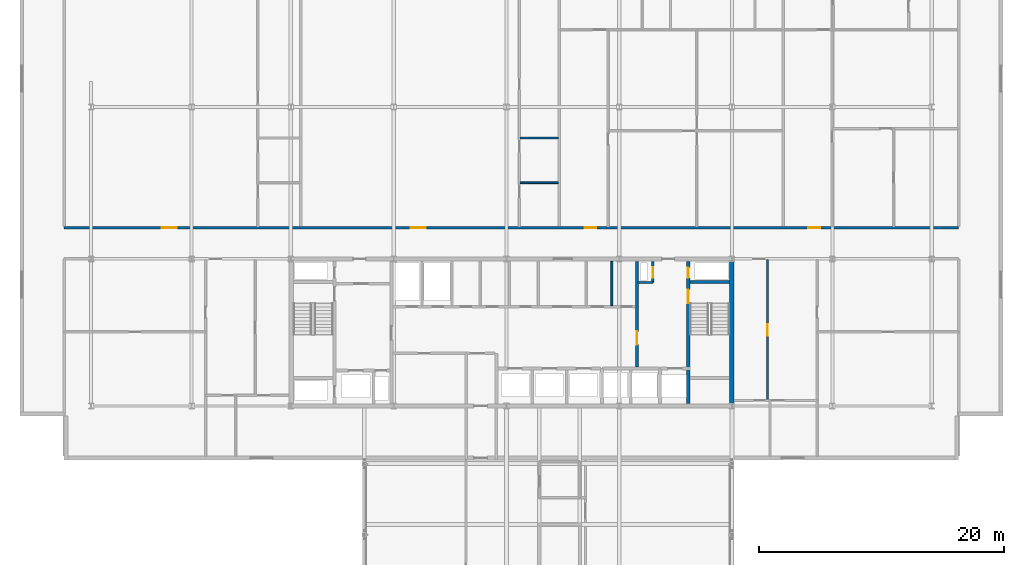
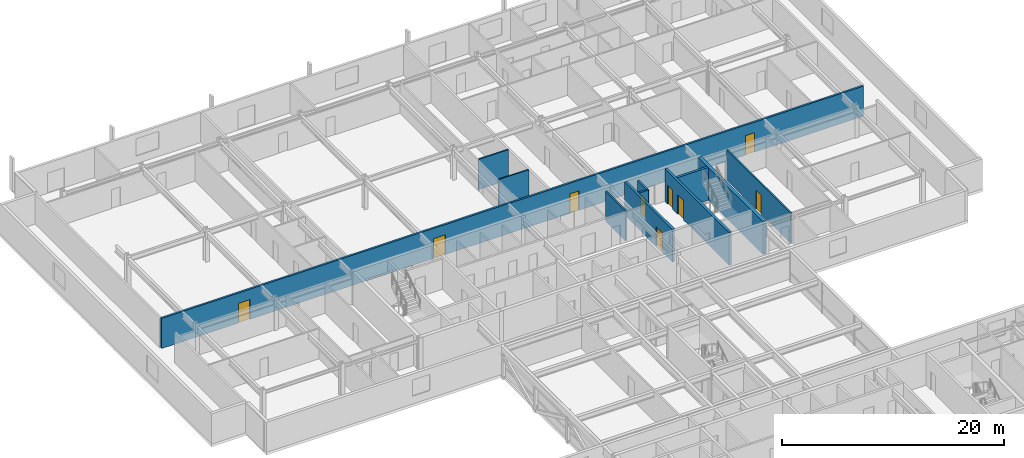
# One storey, part 26 of 36: 11 walls, 9 doors, 9 openings.
"""IFC4 building model written with IfcOpenShell, lengths in metres."""

from ifc_helpers import new_model, si_unit, direction, frame, frame_2d, origin, place, context, subcontext, project, spatial, rectangle, extrude, material, layer, layer_set, type_object, element, fill, save


model = new_model("IFC4")

# Units and contexts
model_context = context("Model", 3, precision=1e-05, world=origin(), true_north=direction((0.0, 1.0)))
body_context = subcontext(model_context, "Body", "Model", "MODEL_VIEW")
ifc_project = project(units=[si_unit("LENGTHUNIT", "METRE"), si_unit("AREAUNIT", "SQUARE_METRE"), si_unit("VOLUMEUNIT", "CUBIC_METRE"), si_unit("PLANEANGLEUNIT", "RADIAN"), si_unit("MASSUNIT", "GRAM", prefix="KILO")], contexts=[model_context])

# Site, building, storey
site_placement = place(None, origin())
site = spatial("IfcSite", under=ifc_project, at=site_placement, CompositionType="ELEMENT")
building_placement = place(site_placement, origin())
building = spatial("IfcBuilding", under=site, at=building_placement, Name="Korimba Cascade Residences", CompositionType="ELEMENT")
storey_placement = place(building_placement, frame((0.0, 0.0, 139.300048828125)))
storey = spatial("IfcBuildingStorey", under=building, at=storey_placement, Name="L40", CompositionType="ELEMENT", Elevation=139.300048828125)

# Wall
ifc_material_1 = material(Name="Concrete C65/80", Category="concrete")
ifc_layer_1 = layer(ifc_material_1, 0.35009765625)
ifc_layer_set_1 = layer_set([ifc_layer_1], Name="Concrete C65/80")
wall_type_1 = type_object("IfcWallType", Name="WAL-CORE-350", PredefinedType="SHEAR", material=ifc_layer_set_1)
wall_1_placement = place(storey_placement, frame((112.074951171875, 55.375, 0.0), z_axis=(0.0, 0.0, 1.0), x_axis=(0.0, 1.0, 0.0)))
element("IfcWall", 1, at=wall_1_placement, inside=storey, type_object=wall_type_1, Name="L40 Core Shear Wall CW-L40-T1-E", PredefinedType="SHEAR", context=body_context, shape_type="SweptSolid", body=[
    extrude(rectangle(XDim=11.64990234375, YDim=0.35009765625, at=frame_2d((5.824951171875, 0.0))), origin(), (0.0, 0.0, 1.0), 3.599853515625),
])

# Wall, openings, doors
ifc_material_2 = material(Name="Precast concrete C40/50", Category="concrete")
ifc_layer_2 = layer(ifc_material_2, 0.199951171875)
ifc_layer_set_2 = layer_set([ifc_layer_2], Name="Precast concrete C40/50")
wall_type_2 = type_object("IfcWallType", Name="WAL-IT-200", PredefinedType="PARTITIONING", material=ifc_layer_set_2)
wall_2_placement = place(storey_placement, frame((57.60009765625, 69.75, 0.0), z_axis=(0.0, 0.0, 1.0), x_axis=(1.0, 0.0, 0.0)))
wall_2 = element("IfcWall", 2, at=wall_2_placement, inside=storey, type_object=wall_type_2, Name="L40 Partition Wall WAL-L40-T1-CORN", PredefinedType="PARTITIONING", context=body_context, shape_type="SweptSolid", body=[
    extrude(rectangle(XDim=73.0, YDim=0.199951171875, at=frame_2d((36.5, 0.0))), origin(), (0.0, 0.0, 1.0), 3.31005859375),
])
opening_1_placement = place(wall_2_placement, frame((7.967041015625, 0.0, 0.0)))
opening_1 = element("IfcOpeningElement", 3, at=opening_1_placement, cuts=wall_2, Name="Opening D-AM1", PredefinedType="OPENING", context=body_context, shape_type="SweptSolid", body=[
    extrude(rectangle(XDim=1.219970703125, YDim=2.179931640625, at=frame_2d((0.60986328125, 1.08984375))), frame((0.0, 0.10986328125, 0.0), z_axis=(0.0, -1.0, 0.0), x_axis=(1.0, 0.0, 0.0)), (0.0, 0.0, 1.0), 0.219970703125),
])
opening_2_placement = place(wall_2_placement, frame((28.29296875, 0.0, 0.0)))
opening_2 = element("IfcOpeningElement", 4, at=opening_2_placement, cuts=wall_2, Name="Opening D-AM1", PredefinedType="OPENING", context=body_context, shape_type="SweptSolid", body=[
    extrude(rectangle(XDim=1.219970703125, YDim=2.179931640625, at=frame_2d((0.60986328125, 1.08984375))), frame((0.0, 0.10986328125, 0.0), z_axis=(0.0, -1.0, 0.0), x_axis=(1.0, 0.0, 0.0)), (0.0, 0.0, 1.0), 0.219970703125),
])
opening_3_placement = place(wall_2_placement, frame((42.46630859375, 0.0, 0.0)))
opening_3 = element("IfcOpeningElement", 5, at=opening_3_placement, cuts=wall_2, Name="Opening D-UN1", PredefinedType="OPENING", context=body_context, shape_type="SweptSolid", body=[
    extrude(rectangle(XDim=0.949951171875, YDim=2.14990234375, at=frame_2d((0.47509765625, 1.074951171875))), frame((0.0, 0.10986328125, 0.0), z_axis=(0.0, -1.0, 0.0), x_axis=(1.0, 0.0, 0.0)), (0.0, 0.0, 1.0), 0.219970703125),
])
opening_4_placement = place(wall_2_placement, frame((60.73779296875, 0.0, 0.0)))
opening_4 = element("IfcOpeningElement", 6, at=opening_4_placement, cuts=wall_2, Name="Opening D-UN1", PredefinedType="OPENING", context=body_context, shape_type="SweptSolid", body=[
    extrude(rectangle(XDim=0.949951171875, YDim=2.14990234375, at=frame_2d((0.47509765625, 1.074951171875))), frame((0.0, 0.10986328125, 0.0), z_axis=(0.0, -1.0, 0.0), x_axis=(1.0, 0.0, 0.0)), (0.0, 0.0, 1.0), 0.219970703125),
])
ifc_material_3 = material(Name="Fire-Rated Glazed Timber Suite Door", Category="wood")
door_type_1 = type_object("IfcDoorType", Name="DR-FD60-1200", OperationType="NOTDEFINED", PredefinedType="DOOR", material=ifc_material_3)
door_1_placement = place(opening_1_placement, origin())
door_1 = element("IfcDoor", 7, at=door_1_placement, inside=storey, type_object=door_type_1, Name="L40-T1-U01 Business Collaboration Office Door", OperationType="SINGLE_SWING_LEFT", OverallHeight=2.179931640625, OverallWidth=1.219970703125, PredefinedType="DOOR", context=body_context, shape_type="SweptSolid", body=[
    extrude(rectangle(XDim=1.219970703125, YDim=2.179931640625, at=frame_2d((0.60986328125, 1.08984375))), frame((0.0, 0.02490234375, 0.0), z_axis=(0.0, -1.0, 0.0), x_axis=(1.0, 0.0, 0.0)), (0.0, 0.0, 1.0), 0.050048828125),
])
fill(opening_1, door_1)
door_2_placement = place(opening_2_placement, origin())
door_2 = element("IfcDoor", 8, at=door_2_placement, inside=storey, type_object=door_type_1, Name="L40-T1-U02 Executive Co-Working Office Door", OperationType="SINGLE_SWING_RIGHT", OverallHeight=2.179931640625, OverallWidth=1.219970703125, PredefinedType="DOOR", context=body_context, shape_type="SweptSolid", body=[
    extrude(rectangle(XDim=1.219970703125, YDim=2.179931640625, at=frame_2d((0.60986328125, 1.08984375))), frame((0.0, 0.02490234375, 0.0), z_axis=(0.0, -1.0, 0.0), x_axis=(1.0, 0.0, 0.0)), (0.0, 0.0, 1.0), 0.050048828125),
])
fill(opening_2, door_2)
ifc_material_4 = material(Name="Fire-Rated Hardwood Apartment Entrance Door", Category="wood")
door_type_2 = type_object("IfcDoorType", Name="DR-FD60-950", OperationType="NOTDEFINED", PredefinedType="DOOR", material=ifc_material_4)
door_3_placement = place(opening_3_placement, origin())
door_3 = element("IfcDoor", 9, at=door_3_placement, inside=storey, type_object=door_type_2, Name="Unit L40-T1-U03 Entrance Door", OperationType="SINGLE_SWING_LEFT", OverallHeight=2.14990234375, OverallWidth=0.949951171875, PredefinedType="DOOR", context=body_context, shape_type="SweptSolid", body=[
    extrude(rectangle(XDim=0.949951171875, YDim=2.14990234375, at=frame_2d((0.47509765625, 1.074951171875))), frame((0.0, 0.02490234375, 0.0), z_axis=(0.0, -1.0, 0.0), x_axis=(1.0, 0.0, 0.0)), (0.0, 0.0, 1.0), 0.050048828125),
])
fill(opening_3, door_3)
door_4_placement = place(opening_4_placement, origin())
door_4 = element("IfcDoor", 10, at=door_4_placement, inside=storey, type_object=door_type_2, Name="Unit L40-T1-U04 Entrance Door", OperationType="SINGLE_SWING_RIGHT", OverallHeight=2.14990234375, OverallWidth=0.949951171875, PredefinedType="DOOR", context=body_context, shape_type="SweptSolid", body=[
    extrude(rectangle(XDim=0.949951171875, YDim=2.14990234375, at=frame_2d((0.47509765625, 1.074951171875))), frame((0.0, 0.02490234375, 0.0), z_axis=(0.0, -1.0, 0.0), x_axis=(1.0, 0.0, 0.0)), (0.0, 0.0, 1.0), 0.050048828125),
])
fill(opening_4, door_4)

# Wall
ifc_material_5 = material(Name="Insulated Acoustic Stud Partition", Category="gypsum")
ifc_layer_3 = layer(ifc_material_5, 0.14990234375)
ifc_layer_set_3 = layer_set([ifc_layer_3], Name="Insulated Acoustic Stud Partition")
wall_type_3 = type_object("IfcWallType", Name="WAL-PART-150", PredefinedType="PARTITIONING", material=ifc_layer_set_3)
wall_3_placement = place(storey_placement, frame((102.300048828125, 63.39990234375, 0.0), z_axis=(0.0, 0.0, 1.0), x_axis=(0.0, 1.0, 0.0)))
element("IfcWall", 11, at=wall_3_placement, inside=storey, type_object=wall_type_3, Name="L40 Partition Wall CW-L40-T1-CA1E1", PredefinedType="PARTITIONING", context=body_context, shape_type="SweptSolid", body=[
    extrude(rectangle(XDim=3.60009765625, YDim=0.14990234375, at=frame_2d((1.800048828125, 0.0))), origin(), (0.0, 0.0, 1.0), 3.31005859375),
])

# Wall, opening, door
wall_4_placement = place(storey_placement, frame((115.0, 55.64990234375, 0.0), z_axis=(0.0, 0.0, 1.0), x_axis=(0.0, 1.0, 0.0)))
wall_4 = element("IfcWall", 12, at=wall_4_placement, inside=storey, type_object=wall_type_3, Name="L40 Partition Wall WAL-L40-T1-FE-VN", PredefinedType="PARTITIONING", context=body_context, shape_type="SweptSolid", body=[
    extrude(rectangle(XDim=11.5, YDim=0.14990234375, at=frame_2d((5.75, 0.0))), origin(), (0.0, 0.0, 1.0), 3.31005859375),
])
opening_5_placement = place(wall_4_placement, frame((5.2900390625, 0.0, 0.0)))
opening_5 = element("IfcOpeningElement", 13, at=opening_5_placement, cuts=wall_4, Name="Opening D-IN1", PredefinedType="OPENING", context=body_context, shape_type="SweptSolid", body=[
    extrude(rectangle(XDim=0.919921875, YDim=2.080078125, at=frame_2d((0.4599609375, 1.0400390625))), frame((0.0, 0.0849609375, 0.0), z_axis=(0.0, -1.0, 0.0), x_axis=(1.0, 0.0, 0.0)), (0.0, 0.0, 1.0), 0.169921875),
])
ifc_material_6 = material(Name="Acoustic Timber Living Door", Category="wood")
door_type_3 = type_object("IfcDoorType", Name="DR-INT-920", OperationType="NOTDEFINED", PredefinedType="DOOR", material=ifc_material_6)
door_5_placement = place(opening_5_placement, origin())
door_5 = element("IfcDoor", 14, at=door_5_placement, inside=storey, type_object=door_type_3, Name="L40-T1-FE Living Door", OperationType="SINGLE_SWING_LEFT", OverallHeight=2.080078125, OverallWidth=0.919921875, PredefinedType="DOOR", context=body_context, shape_type="SweptSolid", body=[
    extrude(rectangle(XDim=0.919921875, YDim=2.080078125, at=frame_2d((0.4599609375, 1.0400390625))), frame((0.0, 0.02490234375, 0.0), z_axis=(0.0, -1.0, 0.0), x_axis=(1.0, 0.0, 0.0)), (0.0, 0.0, 1.0), 0.050048828125),
])
fill(opening_5, door_5)

# Walls
for number, where, z_axis, x_axis, name in (
    (15, (94.811279296875, 73.419921875, 0.0), (0.0, 0.0, 1.0), (1.0, 0.0, 0.0), "L40 Partition Wall WAL-L40-T1-U02-WCH"),
    (16, (94.811279296875, 77.070068359375, 0.0), (0.0, 0.0, 1.0), (1.0, 0.0, 0.0), "L40 Partition Wall WAL-L40-T1-U02-WCH2"),
):
    element("IfcWall", number, at=place(storey_placement, frame(where, z_axis=z_axis, x_axis=x_axis)), inside=storey, type_object=wall_type_3, Name=name, PredefinedType="PARTITIONING", context=body_context, shape_type="SweptSolid", body=[
        extrude(rectangle(XDim=3.130126953125, YDim=0.14990234375, at=frame_2d((1.56494140625, 0.0))), origin(), (0.0, 0.0, 1.0), 3.31005859375),
    ])
ifc_material_7 = material(Name="Concrete C40/50", Category="concrete")
ifc_layer_4 = layer(ifc_material_7, 0.199951171875)
ifc_layer_set_4 = layer_set([ifc_layer_4], Name="Concrete C40/50")
wall_type_4 = type_object("IfcWallType", Name="WAL-PART-200", PredefinedType="PARTITIONING", material=ifc_layer_set_4)
wall_5_placement = place(storey_placement, frame((104.449951171875, 65.280029296875, 0.0), z_axis=(0.0, 0.0, 1.0), x_axis=(1.0, 0.0, 0.0)))
element("IfcWall", 17, at=wall_5_placement, inside=storey, type_object=wall_type_4, Name="L40 Partition Wall CW-L40-T1-HYDW2S", PredefinedType="PARTITIONING", context=body_context, shape_type="SweptSolid", body=[
    extrude(rectangle(XDim=1.199951171875, YDim=0.199951171875, at=frame_2d((0.60009765625, 0.0))), origin(), (0.0, 0.0, 1.0), 3.31005859375),
])

# Wall, opening, door
wall_6_placement = place(storey_placement, frame((105.64990234375, 65.280029296875, 0.0), z_axis=(0.0, 0.0, 1.0), x_axis=(0.0, 1.0, 0.0)))
wall_6 = element("IfcWall", 18, at=wall_6_placement, inside=storey, type_object=wall_type_4, Name="L40 Partition Wall CW-L40-T1-HYDW2E", PredefinedType="PARTITIONING", context=body_context, shape_type="SweptSolid", body=[
    extrude(rectangle(XDim=1.719970703125, YDim=0.199951171875, at=frame_2d((0.85986328125, 0.0))), origin(), (0.0, 0.0, 1.0), 3.31005859375),
])
opening_6_placement = place(wall_6_placement, frame((0.39990234375, 0.0, 0.0)))
opening_6 = element("IfcOpeningElement", 19, at=opening_6_placement, cuts=wall_6, Name="Opening D-RS1", PredefinedType="OPENING", context=body_context, shape_type="SweptSolid", body=[
    extrude(rectangle(XDim=0.85009765625, YDim=2.050048828125, at=frame_2d((0.425048828125, 1.02490234375))), frame((0.0, 0.10986328125, 0.0), z_axis=(0.0, -1.0, 0.0), x_axis=(1.0, 0.0, 0.0)), (0.0, 0.0, 1.0), 0.219970703125),
])
ifc_material_8 = material(Name="Fire-Rated Steel Riser Access Door", Category="steel")
door_type_4 = type_object("IfcDoorType", Name="DR-FD60-850", OperationType="NOTDEFINED", PredefinedType="DOOR", material=ifc_material_8)
door_6_placement = place(opening_6_placement, origin())
door_6 = element("IfcDoor", 20, at=door_6_placement, inside=storey, type_object=door_type_4, Name="L40 East Hydrant Door", OperationType="SINGLE_SWING_LEFT", OverallHeight=2.050048828125, OverallWidth=0.85009765625, PredefinedType="DOOR", context=body_context, shape_type="SweptSolid", body=[
    extrude(rectangle(XDim=0.85009765625, YDim=2.050048828125, at=frame_2d((0.425048828125, 1.02490234375))), frame((0.0, 0.02490234375, 0.0), z_axis=(0.0, -1.0, 0.0), x_axis=(1.0, 0.0, 0.0)), (0.0, 0.0, 1.0), 0.050048828125),
])
fill(opening_6, door_6)

ifc_material_9 = material(Name="Concrete C50/60", Category="concrete")
ifc_layer_5 = layer(ifc_material_9, 0.25)
ifc_layer_set_5 = layer_set([ifc_layer_5], Name="Concrete C50/60")
wall_type_5 = type_object("IfcWallType", Name="WAL-SHAFT-250", PredefinedType="SHEAR", material=ifc_layer_set_5)
wall_7_placement = place(storey_placement, frame((104.35009765625, 58.39990234375, 0.0), z_axis=(0.0, 0.0, 1.0), x_axis=(0.0, 1.0, 0.0)))
wall_7 = element("IfcWall", 21, at=wall_7_placement, inside=storey, type_object=wall_type_5, Name="L40 Core Shear Wall CW-L40-T1-LLEV", PredefinedType="SHEAR", context=body_context, shape_type="SweptSolid", body=[
    extrude(rectangle(XDim=8.60009765625, YDim=0.25, at=frame_2d((4.300048828125, 0.0))), origin(), (0.0, 0.0, 1.0), 3.599853515625),
])
opening_7_placement = place(wall_7_placement, frame((1.800048828125, 0.0, 0.0)))
opening_7 = element("IfcOpeningElement", 22, at=opening_7_placement, cuts=wall_7, Name="Opening D-FD1", PredefinedType="OPENING", context=body_context, shape_type="SweptSolid", body=[
    extrude(rectangle(XDim=1.10009765625, YDim=2.10009765625, at=frame_2d((0.550048828125, 1.050048828125))), frame((0.0, 0.135009765625, 0.0), z_axis=(0.0, -1.0, 0.0), x_axis=(1.0, 0.0, 0.0)), (0.0, 0.0, 1.0), 0.27001953125),
])
ifc_material_10 = material(Name="Fire-Rated Steel Core Door", Category="steel")
door_type_5 = type_object("IfcDoorType", Name="DR-FD120-1100", OperationType="NOTDEFINED", PredefinedType="DOOR", material=ifc_material_10)
door_7_placement = place(opening_7_placement, origin())
door_7 = element("IfcDoor", 23, at=door_7_placement, inside=storey, type_object=door_type_5, Name="L40 Lift Lobby to East Firefighting Lobby Door", OperationType="SINGLE_SWING_RIGHT", OverallHeight=2.10009765625, OverallWidth=1.10009765625, PredefinedType="DOOR", context=body_context, shape_type="SweptSolid", body=[
    extrude(rectangle(XDim=1.10009765625, YDim=2.10009765625, at=frame_2d((0.550048828125, 1.050048828125))), frame((0.0, 0.02490234375, 0.0), z_axis=(0.0, -1.0, 0.0), x_axis=(1.0, 0.0, 0.0)), (0.0, 0.0, 1.0), 0.050048828125),
])
fill(opening_7, door_7)

# Wall, openings, doors
wall_8_placement = place(storey_placement, frame((108.534912109375, 55.39990234375, 0.0), z_axis=(0.0, 0.0, 1.0), x_axis=(0.0, 1.0, 0.0)))
wall_8 = element("IfcWall", 24, at=wall_8_placement, inside=storey, type_object=wall_type_5, Name="L40 Core Shear Wall CW-L40-T1-STW2W", PredefinedType="SHEAR", context=body_context, shape_type="SweptSolid", body=[
    extrude(rectangle(XDim=11.60009765625, YDim=0.25, at=frame_2d((5.800048828125, 0.0))), origin(), (0.0, 0.0, 1.0), 3.599853515625),
])
opening_8_placement = place(wall_8_placement, frame((8.199951171875, 0.0, 0.0)))
opening_8 = element("IfcOpeningElement", 25, at=opening_8_placement, cuts=wall_8, Name="Opening D-FD1", PredefinedType="OPENING", context=body_context, shape_type="SweptSolid", body=[
    extrude(rectangle(XDim=1.10009765625, YDim=2.10009765625, at=frame_2d((0.550048828125, 1.050048828125))), frame((0.0, 0.135009765625, 0.0), z_axis=(0.0, -1.0, 0.0), x_axis=(1.0, 0.0, 0.0)), (0.0, 0.0, 1.0), 0.27001953125),
])
opening_9_placement = place(wall_8_placement, frame((10.25, 0.0, 0.0)))
opening_9 = element("IfcOpeningElement", 26, at=opening_9_placement, cuts=wall_8, Name="Opening D-RS1", PredefinedType="OPENING", context=body_context, shape_type="SweptSolid", body=[
    extrude(rectangle(XDim=0.85009765625, YDim=2.050048828125, at=frame_2d((0.425048828125, 1.02490234375))), frame((0.0, 0.135009765625, 0.0), z_axis=(0.0, -1.0, 0.0), x_axis=(1.0, 0.0, 0.0)), (0.0, 0.0, 1.0), 0.27001953125),
])
door_8_placement = place(opening_8_placement, origin())
door_8 = element("IfcDoor", 27, at=door_8_placement, inside=storey, type_object=door_type_5, Name="L40 Fire Stair ST-W2 Door", OperationType="SINGLE_SWING_LEFT", OverallHeight=2.10009765625, OverallWidth=1.10009765625, PredefinedType="DOOR", context=body_context, shape_type="SweptSolid", body=[
    extrude(rectangle(XDim=1.10009765625, YDim=2.10009765625, at=frame_2d((0.550048828125, 1.050048828125))), frame((0.0, 0.02490234375, 0.0), z_axis=(0.0, -1.0, 0.0), x_axis=(1.0, 0.0, 0.0)), (0.0, 0.0, 1.0), 0.050048828125),
])
fill(opening_8, door_8)
door_9_placement = place(opening_9_placement, origin())
door_9 = element("IfcDoor", 28, at=door_9_placement, inside=storey, type_object=door_type_4, Name="L40 East Riser Door", OperationType="SINGLE_SWING_RIGHT", OverallHeight=2.050048828125, OverallWidth=0.85009765625, PredefinedType="DOOR", context=body_context, shape_type="SweptSolid", body=[
    extrude(rectangle(XDim=0.85009765625, YDim=2.050048828125, at=frame_2d((0.425048828125, 1.02490234375))), frame((0.0, 0.02490234375, 0.0), z_axis=(0.0, -1.0, 0.0), x_axis=(1.0, 0.0, 0.0)), (0.0, 0.0, 1.0), 0.050048828125),
])
fill(opening_9, door_9)

# Wall
wall_9_placement = place(storey_placement, frame((108.659912109375, 65.324951171875, 0.0), z_axis=(0.0, 0.0, 1.0), x_axis=(1.0, 0.0, 0.0)))
element("IfcWall", 29, at=wall_9_placement, inside=storey, type_object=wall_type_5, Name="L40 Core Shear Wall CW-L40-T1-STW2N", PredefinedType="SHEAR", context=body_context, shape_type="SweptSolid", body=[
    extrude(rectangle(XDim=3.239990234375, YDim=0.25, at=frame_2d((1.6201171875, 0.0))), origin(), (0.0, 0.0, 1.0), 3.599853515625),
])

save(model, "model.ifc")
